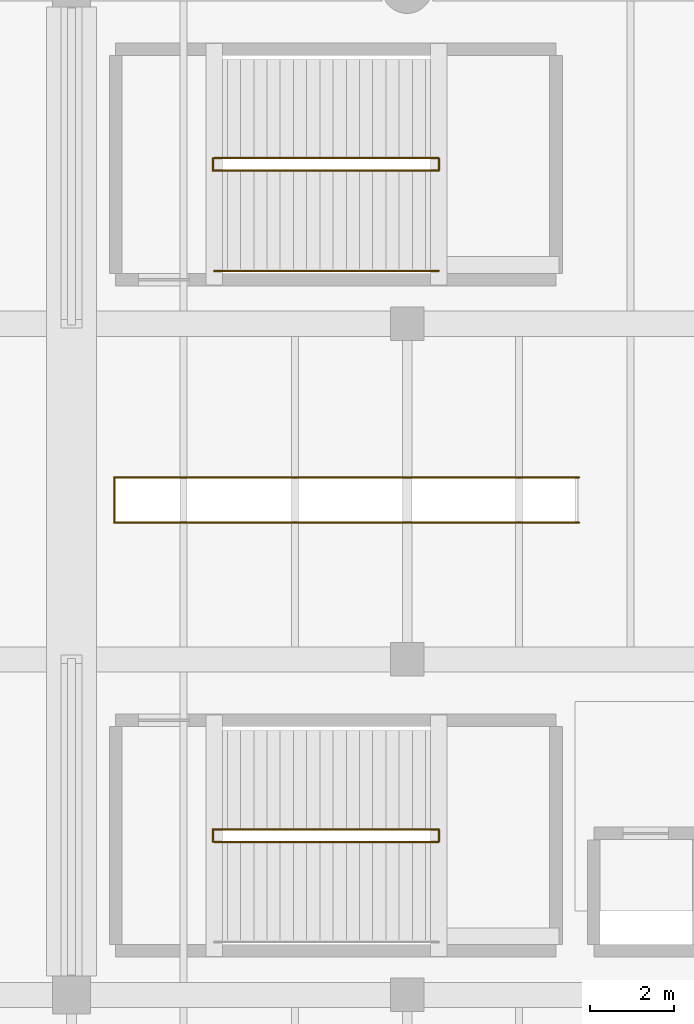
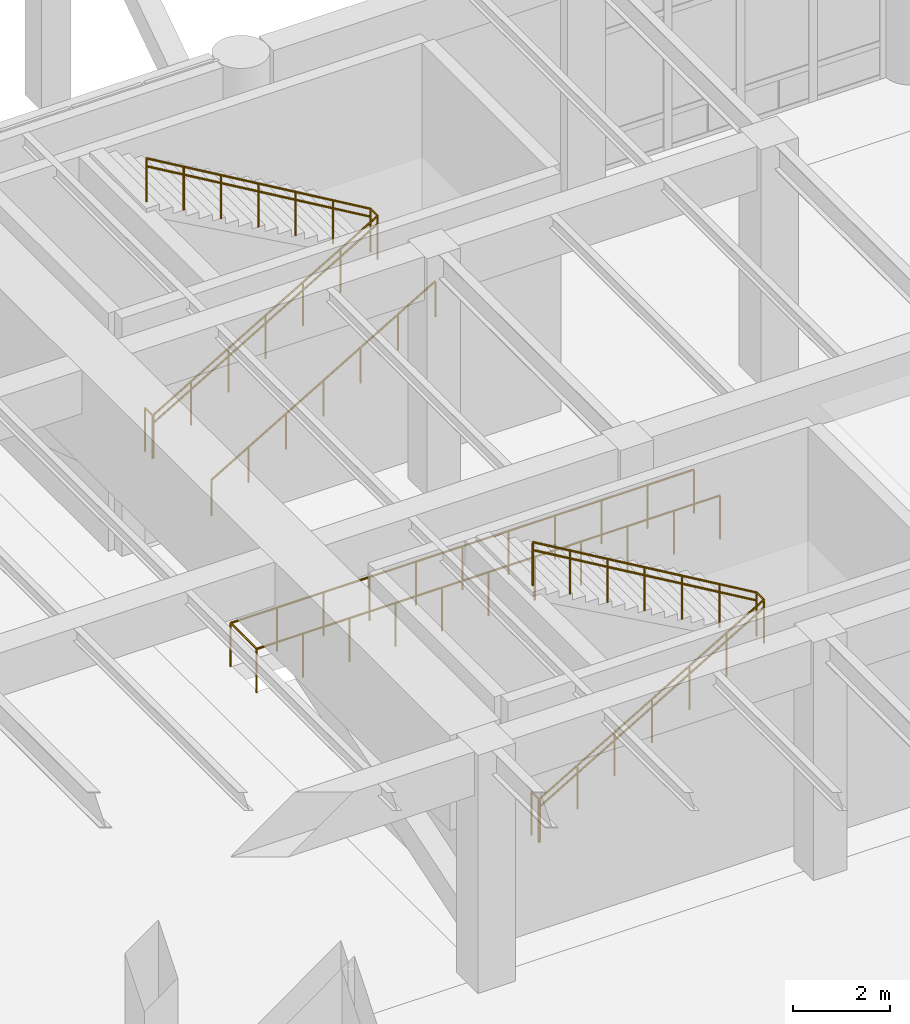
# One storey, part 45 of 51: 12 railings.
"""IFC4 building model written with IfcOpenShell, lengths in metres."""

from ifc_helpers import new_model, si_unit, direction, frame, origin, origin_2d, place, context, subcontext, project, spatial, circle, extrude, material, type_object, element, save


model = new_model("IFC4")

# Units and contexts
model_context = context("Model", 3, precision=1e-05, world=origin(), true_north=direction((0.0, 1.0)))
body_context = subcontext(model_context, "Body", "Model", "MODEL_VIEW")
ifc_project = project(units=[si_unit("LENGTHUNIT", "METRE"), si_unit("AREAUNIT", "SQUARE_METRE"), si_unit("VOLUMEUNIT", "CUBIC_METRE"), si_unit("PLANEANGLEUNIT", "RADIAN"), si_unit("MASSUNIT", "GRAM", prefix="KILO")], contexts=[model_context])

# Site, building, storey
site_placement = place(None, origin())
site = spatial("IfcSite", under=ifc_project, at=site_placement, CompositionType="ELEMENT")
building_placement = place(site_placement, origin())
building = spatial("IfcBuilding", under=site, at=building_placement, Name="Varnela Railside Interchange", CompositionType="ELEMENT")
storey_placement = place(building_placement, origin())
storey = spatial("IfcBuildingStorey", under=building, at=storey_placement, Name="L00", CompositionType="ELEMENT", Elevation=0.0)

# Railings
ifc_material_1 = material(Name="Glass laminated double", Category="glass")
railing_type_1 = type_object("IfcRailingType", Name="Concourse Atrium Balustrade BL-01", PredefinedType="BALUSTRADE", material=ifc_material_1)
railing_1_placement = place(storey_placement, frame((64.10009765625, 49.260009765625, 0.0)))
element("IfcRailing", 1, at=railing_1_placement, inside=storey, type_object=railing_type_1, Name="Escalator Well Balustrade ES4 (RL-0213)", PredefinedType="BALUSTRADE", context=body_context, shape_type="SweptSolid", body=[
    extrude(circle(Radius=0.02392578125, at=origin_2d()), frame((0.0, 0.0, 1.09619140625), z_axis=(-1.0, 0.0, 0.0), x_axis=(0.0, -1.0, 0.0)), (0.0, 0.0, 1.0), 11.080078125),
    extrude(circle(Radius=0.02392578125, at=origin_2d()), frame((-11.080078125, 0.0, 1.09619140625), z_axis=(0.0, 1.0, 0.0), x_axis=(-1.0, 0.0, 0.0)), (0.0, 0.0, 1.0), 1.080078125),
    extrude(circle(Radius=0.02392578125, at=origin_2d()), frame((-11.080078125, 1.080078125, 1.09619140625), z_axis=(1.0, 0.0, 0.0), x_axis=(0.0, 1.0, 0.0)), (0.0, 0.0, 1.0), 11.080078125),
    extrude(circle(Radius=0.02099609375, at=origin_2d()), origin(), (0.0, 0.0, 1.0), 1.072021484375),
    extrude(circle(Radius=0.02099609375, at=origin_2d()), frame((-1.10791015625, 0.0, 0.0)), (0.0, 0.0, 1.0), 1.072021484375),
    extrude(circle(Radius=0.02099609375, at=origin_2d()), frame((-2.216064453125, 0.0, 0.0)), (0.0, 0.0, 1.0), 1.072021484375),
    extrude(circle(Radius=0.02099609375, at=origin_2d()), frame((-3.323974609375, 0.0, 0.0)), (0.0, 0.0, 1.0), 1.072021484375),
    extrude(circle(Radius=0.02099609375, at=origin_2d()), frame((-4.43212890625, 0.0, 0.0)), (0.0, 0.0, 1.0), 1.072021484375),
    extrude(circle(Radius=0.02099609375, at=origin_2d()), frame((-5.5400390625, 0.0, 0.0)), (0.0, 0.0, 1.0), 1.072021484375),
    extrude(circle(Radius=0.02099609375, at=origin_2d()), frame((-6.64794921875, 0.0, 0.0)), (0.0, 0.0, 1.0), 1.072021484375),
    extrude(circle(Radius=0.02099609375, at=origin_2d()), frame((-7.756103515625, 0.0, 0.0)), (0.0, 0.0, 1.0), 1.072021484375),
    extrude(circle(Radius=0.02099609375, at=origin_2d()), frame((-8.864013671875, 0.0, 0.0)), (0.0, 0.0, 1.0), 1.072021484375),
    extrude(circle(Radius=0.02099609375, at=origin_2d()), frame((-9.97216796875, 0.0, 0.0)), (0.0, 0.0, 1.0), 1.072021484375),
    extrude(circle(Radius=0.02099609375, at=origin_2d()), frame((-11.080078125, 0.0, 0.0)), (0.0, 0.0, 1.0), 1.072021484375),
    extrude(circle(Radius=0.02099609375, at=origin_2d()), frame((-11.080078125, 1.080078125, 0.0)), (0.0, 0.0, 1.0), 1.072021484375),
    extrude(circle(Radius=0.02099609375, at=origin_2d()), frame((-9.97216796875, 1.080078125, 0.0)), (0.0, 0.0, 1.0), 1.072021484375),
    extrude(circle(Radius=0.02099609375, at=origin_2d()), frame((-8.864013671875, 1.080078125, 0.0)), (0.0, 0.0, 1.0), 1.072021484375),
    extrude(circle(Radius=0.02099609375, at=origin_2d()), frame((-7.756103515625, 1.080078125, 0.0)), (0.0, 0.0, 1.0), 1.072021484375),
    extrude(circle(Radius=0.02099609375, at=origin_2d()), frame((-6.64794921875, 1.080078125, 0.0)), (0.0, 0.0, 1.0), 1.072021484375),
    extrude(circle(Radius=0.02099609375, at=origin_2d()), frame((-5.5400390625, 1.080078125, 0.0)), (0.0, 0.0, 1.0), 1.072021484375),
    extrude(circle(Radius=0.02099609375, at=origin_2d()), frame((-4.43212890625, 1.080078125, 0.0)), (0.0, 0.0, 1.0), 1.072021484375),
    extrude(circle(Radius=0.02099609375, at=origin_2d()), frame((-3.323974609375, 1.080078125, 0.0)), (0.0, 0.0, 1.0), 1.072021484375),
    extrude(circle(Radius=0.02099609375, at=origin_2d()), frame((-2.216064453125, 1.080078125, 0.0)), (0.0, 0.0, 1.0), 1.072021484375),
    extrude(circle(Radius=0.02099609375, at=origin_2d()), frame((-1.10791015625, 1.080078125, 0.0)), (0.0, 0.0, 1.0), 1.072021484375),
    extrude(circle(Radius=0.02099609375, at=origin_2d()), frame((0.0, 1.080078125, 0.0)), (0.0, 0.0, 1.0), 1.072021484375),
])
ifc_material_2 = material(Name="Steel AR 350 (350 MPa)", Category="steel")
railing_type_2 = type_object("IfcRailingType", Name="Stair & Ramp Pitch Handrail HR-01", PredefinedType="HANDRAIL", material=ifc_material_2)
railing_2_placement = place(storey_placement, frame((55.39990234375, 41.64990234375, 0.0)))
element("IfcRailing", 2, at=railing_2_placement, inside=storey, type_object=railing_type_2, Name="Stair Handrail ST-C1 Flight 1 (RL-0216)", PredefinedType="HANDRAIL", context=body_context, shape_type="SweptSolid", body=[
    extrude(circle(Radius=0.02392578125, at=origin_2d()), frame((0.0, 0.0, 0.89599609375), z_axis=(0.861940276329, 0.0, 0.507009822431), x_axis=(0.0, 1.0, 0.0)), (0.0, 0.0, 1.0), 6.212646484375),
    extrude(circle(Radius=0.02099609375, at=origin_2d()), origin(), (0.0, 0.0, 1.0), 0.871826171875),
    extrude(circle(Radius=0.02099609375, at=origin_2d()), frame((0.892578125, 0.0, 0.52490234375)), (0.0, 0.0, 1.0), 0.871826171875),
    extrude(circle(Radius=0.02099609375, at=origin_2d()), frame((1.784912109375, 0.0, 1.050048828125)), (0.0, 0.0, 1.0), 0.871826171875),
    extrude(circle(Radius=0.02099609375, at=origin_2d()), frame((2.677490234375, 0.0, 1.574951171875)), (0.0, 0.0, 1.0), 0.871826171875),
    extrude(circle(Radius=0.02099609375, at=origin_2d()), frame((3.570068359375, 0.0, 2.099853515625)), (0.0, 0.0, 1.0), 0.871826171875),
    extrude(circle(Radius=0.02099609375, at=origin_2d()), frame((4.46240234375, 0.0, 2.625)), (0.0, 0.0, 1.0), 0.871826171875),
    extrude(circle(Radius=0.02099609375, at=origin_2d()), frame((5.35498046875, 0.0, 3.14990234375)), (0.0, 0.0, 1.0), 0.871826171875),
])
railing_3_placement = place(storey_placement, frame((60.7548828125, 41.949951171875, 3.14990234375)))
element("IfcRailing", 3, at=railing_3_placement, inside=storey, type_object=railing_type_2, Name="Stair Handrail ST-C1 Flight 2 (RL-0217)", PredefinedType="HANDRAIL", context=body_context, shape_type="SweptSolid", body=[
    extrude(circle(Radius=0.02392578125, at=origin_2d()), frame((0.0, 0.0, 0.89599609375), z_axis=(-0.861923102912, 0.0, 0.507039016908), x_axis=(0.0, -1.0, 0.0)), (0.0, 0.0, 1.0), 6.212890625),
    extrude(circle(Radius=0.02099609375, at=origin_2d()), origin(), (0.0, 0.0, 1.0), 0.871826171875),
    extrude(circle(Radius=0.02099609375, at=origin_2d()), frame((-0.892578125, 0.0, 0.52490234375)), (0.0, 0.0, 1.0), 0.871826171875),
    extrude(circle(Radius=0.02099609375, at=origin_2d()), frame((-1.784912109375, 0.0, 1.050048828125)), (0.0, 0.0, 1.0), 0.871826171875),
    extrude(circle(Radius=0.02099609375, at=origin_2d()), frame((-2.677490234375, 0.0, 1.5751953125)), (0.0, 0.0, 1.0), 0.871826171875),
    extrude(circle(Radius=0.02099609375, at=origin_2d()), frame((-3.570068359375, 0.0, 2.10009765625)), (0.0, 0.0, 1.0), 0.871826171875),
    extrude(circle(Radius=0.02099609375, at=origin_2d()), frame((-4.46240234375, 0.0, 2.625)), (0.0, 0.0, 1.0), 0.871826171875),
    extrude(circle(Radius=0.02099609375, at=origin_2d()), frame((-5.35498046875, 0.0, 3.150146484375)), (0.0, 0.0, 1.0), 0.871826171875),
])
railing_4_placement = place(storey_placement, frame((55.39990234375, 57.64990234375, 0.0)))
element("IfcRailing", 4, at=railing_4_placement, inside=storey, type_object=railing_type_2, Name="Stair Handrail ST-C3 Flight 1 (RL-0220)", PredefinedType="HANDRAIL", context=body_context, shape_type="SweptSolid", body=[
    extrude(circle(Radius=0.02392578125, at=origin_2d()), frame((0.0, 0.0, 0.89599609375), z_axis=(0.861940276329, 0.0, 0.507009822431), x_axis=(0.0, 1.0, 0.0)), (0.0, 0.0, 1.0), 6.212646484375),
    extrude(circle(Radius=0.02099609375, at=origin_2d()), origin(), (0.0, 0.0, 1.0), 0.871826171875),
    extrude(circle(Radius=0.02099609375, at=origin_2d()), frame((0.892578125, 0.0, 0.52490234375)), (0.0, 0.0, 1.0), 0.871826171875),
    extrude(circle(Radius=0.02099609375, at=origin_2d()), frame((1.784912109375, 0.0, 1.050048828125)), (0.0, 0.0, 1.0), 0.871826171875),
    extrude(circle(Radius=0.02099609375, at=origin_2d()), frame((2.677490234375, 0.0, 1.574951171875)), (0.0, 0.0, 1.0), 0.871826171875),
    extrude(circle(Radius=0.02099609375, at=origin_2d()), frame((3.570068359375, 0.0, 2.099853515625)), (0.0, 0.0, 1.0), 0.871826171875),
    extrude(circle(Radius=0.02099609375, at=origin_2d()), frame((4.46240234375, 0.0, 2.625)), (0.0, 0.0, 1.0), 0.871826171875),
    extrude(circle(Radius=0.02099609375, at=origin_2d()), frame((5.35498046875, 0.0, 3.14990234375)), (0.0, 0.0, 1.0), 0.871826171875),
])
railing_5_placement = place(storey_placement, frame((60.7548828125, 57.949951171875, 3.14990234375)))
element("IfcRailing", 5, at=railing_5_placement, inside=storey, type_object=railing_type_2, Name="Stair Handrail ST-C3 Flight 2 (RL-0221)", PredefinedType="HANDRAIL", context=body_context, shape_type="SweptSolid", body=[
    extrude(circle(Radius=0.02392578125, at=origin_2d()), frame((0.0, 0.0, 0.89599609375), z_axis=(-0.861923102912, 0.0, 0.507039016908), x_axis=(0.0, -1.0, 0.0)), (0.0, 0.0, 1.0), 6.212890625),
    extrude(circle(Radius=0.02099609375, at=origin_2d()), origin(), (0.0, 0.0, 1.0), 0.871826171875),
    extrude(circle(Radius=0.02099609375, at=origin_2d()), frame((-0.892578125, 0.0, 0.52490234375)), (0.0, 0.0, 1.0), 0.871826171875),
    extrude(circle(Radius=0.02099609375, at=origin_2d()), frame((-1.784912109375, 0.0, 1.050048828125)), (0.0, 0.0, 1.0), 0.871826171875),
    extrude(circle(Radius=0.02099609375, at=origin_2d()), frame((-2.677490234375, 0.0, 1.5751953125)), (0.0, 0.0, 1.0), 0.871826171875),
    extrude(circle(Radius=0.02099609375, at=origin_2d()), frame((-3.570068359375, 0.0, 2.10009765625)), (0.0, 0.0, 1.0), 0.871826171875),
    extrude(circle(Radius=0.02099609375, at=origin_2d()), frame((-4.46240234375, 0.0, 2.625)), (0.0, 0.0, 1.0), 0.871826171875),
    extrude(circle(Radius=0.02099609375, at=origin_2d()), frame((-5.35498046875, 0.0, 3.150146484375)), (0.0, 0.0, 1.0), 0.871826171875),
])
railing_type_3 = type_object("IfcRailingType", Name="Stair Well & Landing Guard GR-02", PredefinedType="GUARDRAIL", material=ifc_material_2)
railing_6_placement = place(storey_placement, frame((55.3701171875, 41.64990234375, 0.0)))
element("IfcRailing", 6, at=railing_6_placement, inside=storey, type_object=railing_type_3, Name="Stair Well Slot Guard ST-C1 on L00 (RL-0175)", PredefinedType="GUARDRAIL", context=body_context, shape_type="SweptSolid", body=[
    extrude(circle(Radius=0.02392578125, at=origin_2d()), frame((0.0, 0.0, 1.09619140625), z_axis=(0.0, 1.0, 0.0), x_axis=(-1.0, 0.0, 0.0)), (0.0, 0.0, 1.0), 0.300048828125),
    extrude(circle(Radius=0.02099609375, at=origin_2d()), origin(), (0.0, 0.0, 1.0), 1.072021484375),
    extrude(circle(Radius=0.02099609375, at=origin_2d()), frame((0.0, 0.300048828125, 0.0)), (0.0, 0.0, 1.0), 1.072021484375),
])
railing_7_placement = place(storey_placement, frame((55.39990234375, 41.64990234375, 0.0)))
element("IfcRailing", 7, at=railing_7_placement, inside=storey, type_object=railing_type_3, Name="Stair Guard ST-C1 Half-Landing (RL-0173)", PredefinedType="GUARDRAIL", context=body_context, shape_type="SweptSolid", body=[
    extrude(circle(Radius=0.02392578125, at=origin_2d()), frame((0.0, 0.0, 1.09619140625), z_axis=(0.861940276329, 0.0, 0.507009822431), x_axis=(0.0, 1.0, 0.0)), (0.0, 0.0, 1.0), 6.212646484375),
    extrude(circle(Radius=0.02392578125, at=origin_2d()), frame((5.35498046875, 0.0, 4.24609375), z_axis=(0.0, 1.0, 0.0), x_axis=(-1.0, 0.0, 0.0)), (0.0, 0.0, 1.0), 0.300048828125),
    extrude(circle(Radius=0.02099609375, at=origin_2d()), origin(), (0.0, 0.0, 1.0), 1.072021484375),
    extrude(circle(Radius=0.02099609375, at=origin_2d()), frame((0.892578125, 0.0, 0.52490234375)), (0.0, 0.0, 1.0), 1.072021484375),
    extrude(circle(Radius=0.02099609375, at=origin_2d()), frame((1.784912109375, 0.0, 1.050048828125)), (0.0, 0.0, 1.0), 1.072021484375),
    extrude(circle(Radius=0.02099609375, at=origin_2d()), frame((2.677490234375, 0.0, 1.574951171875)), (0.0, 0.0, 1.0), 1.072021484375),
    extrude(circle(Radius=0.02099609375, at=origin_2d()), frame((3.570068359375, 0.0, 2.099853515625)), (0.0, 0.0, 1.0), 1.072021484375),
    extrude(circle(Radius=0.02099609375, at=origin_2d()), frame((4.46240234375, 0.0, 2.625)), (0.0, 0.0, 1.0), 1.072021484375),
    extrude(circle(Radius=0.02099609375, at=origin_2d()), frame((5.35498046875, 0.0, 3.14990234375)), (0.0, 0.0, 1.0), 1.072021484375),
    extrude(circle(Radius=0.02099609375, at=origin_2d()), frame((5.35498046875, 0.300048828125, 3.14990234375)), (0.0, 0.0, 1.0), 1.072021484375),
])
railing_8_placement = place(storey_placement, frame((60.7548828125, 41.949951171875, 3.14990234375)))
element("IfcRailing", 8, at=railing_8_placement, inside=storey, type_object=railing_type_3, Name="Stair Guard ST-C1 Upper Flight (RL-0174)", PredefinedType="GUARDRAIL", context=body_context, shape_type="SweptSolid", body=[
    extrude(circle(Radius=0.02392578125, at=origin_2d()), frame((0.0, 0.0, 1.09619140625), z_axis=(-0.861923102912, 0.0, 0.507039016908), x_axis=(0.0, -1.0, 0.0)), (0.0, 0.0, 1.0), 6.212890625),
    extrude(circle(Radius=0.02099609375, at=origin_2d()), origin(), (0.0, 0.0, 1.0), 1.072021484375),
    extrude(circle(Radius=0.02099609375, at=origin_2d()), frame((-0.892578125, 0.0, 0.52490234375)), (0.0, 0.0, 1.0), 1.072021484375),
    extrude(circle(Radius=0.02099609375, at=origin_2d()), frame((-1.784912109375, 0.0, 1.050048828125)), (0.0, 0.0, 1.0), 1.072021484375),
    extrude(circle(Radius=0.02099609375, at=origin_2d()), frame((-2.677490234375, 0.0, 1.5751953125)), (0.0, 0.0, 1.0), 1.072021484375),
    extrude(circle(Radius=0.02099609375, at=origin_2d()), frame((-3.570068359375, 0.0, 2.10009765625)), (0.0, 0.0, 1.0), 1.072021484375),
    extrude(circle(Radius=0.02099609375, at=origin_2d()), frame((-4.46240234375, 0.0, 2.625)), (0.0, 0.0, 1.0), 1.072021484375),
    extrude(circle(Radius=0.02099609375, at=origin_2d()), frame((-5.35498046875, 0.0, 3.150146484375)), (0.0, 0.0, 1.0), 1.072021484375),
])
railing_9_placement = place(storey_placement, frame((55.3701171875, 57.64990234375, 0.0)))
element("IfcRailing", 9, at=railing_9_placement, inside=storey, type_object=railing_type_3, Name="Stair Well Slot Guard ST-C3 on L00 (RL-0181)", PredefinedType="GUARDRAIL", context=body_context, shape_type="SweptSolid", body=[
    extrude(circle(Radius=0.02392578125, at=origin_2d()), frame((0.0, 0.0, 1.09619140625), z_axis=(0.0, 1.0, 0.0), x_axis=(-1.0, 0.0, 0.0)), (0.0, 0.0, 1.0), 0.300048828125),
    extrude(circle(Radius=0.02099609375, at=origin_2d()), origin(), (0.0, 0.0, 1.0), 1.072021484375),
    extrude(circle(Radius=0.02099609375, at=origin_2d()), frame((0.0, 0.300048828125, 0.0)), (0.0, 0.0, 1.0), 1.072021484375),
])
railing_10_placement = place(storey_placement, frame((55.39990234375, 57.64990234375, 0.0)))
element("IfcRailing", 10, at=railing_10_placement, inside=storey, type_object=railing_type_3, Name="Stair Guard ST-C3 Half-Landing (RL-0179)", PredefinedType="GUARDRAIL", context=body_context, shape_type="SweptSolid", body=[
    extrude(circle(Radius=0.02392578125, at=origin_2d()), frame((0.0, 0.0, 1.09619140625), z_axis=(0.861940276329, 0.0, 0.507009822431), x_axis=(0.0, 1.0, 0.0)), (0.0, 0.0, 1.0), 6.212646484375),
    extrude(circle(Radius=0.02392578125, at=origin_2d()), frame((5.35498046875, 0.0, 4.24609375), z_axis=(0.0, 1.0, 0.0), x_axis=(-1.0, 0.0, 0.0)), (0.0, 0.0, 1.0), 0.300048828125),
    extrude(circle(Radius=0.02099609375, at=origin_2d()), origin(), (0.0, 0.0, 1.0), 1.072021484375),
    extrude(circle(Radius=0.02099609375, at=origin_2d()), frame((0.892578125, 0.0, 0.52490234375)), (0.0, 0.0, 1.0), 1.072021484375),
    extrude(circle(Radius=0.02099609375, at=origin_2d()), frame((1.784912109375, 0.0, 1.050048828125)), (0.0, 0.0, 1.0), 1.072021484375),
    extrude(circle(Radius=0.02099609375, at=origin_2d()), frame((2.677490234375, 0.0, 1.574951171875)), (0.0, 0.0, 1.0), 1.072021484375),
    extrude(circle(Radius=0.02099609375, at=origin_2d()), frame((3.570068359375, 0.0, 2.099853515625)), (0.0, 0.0, 1.0), 1.072021484375),
    extrude(circle(Radius=0.02099609375, at=origin_2d()), frame((4.46240234375, 0.0, 2.625)), (0.0, 0.0, 1.0), 1.072021484375),
    extrude(circle(Radius=0.02099609375, at=origin_2d()), frame((5.35498046875, 0.0, 3.14990234375)), (0.0, 0.0, 1.0), 1.072021484375),
    extrude(circle(Radius=0.02099609375, at=origin_2d()), frame((5.35498046875, 0.300048828125, 3.14990234375)), (0.0, 0.0, 1.0), 1.072021484375),
])
railing_11_placement = place(storey_placement, frame((60.7548828125, 57.949951171875, 3.14990234375)))
element("IfcRailing", 11, at=railing_11_placement, inside=storey, type_object=railing_type_3, Name="Stair Guard ST-C3 Upper Flight (RL-0180)", PredefinedType="GUARDRAIL", context=body_context, shape_type="SweptSolid", body=[
    extrude(circle(Radius=0.02392578125, at=origin_2d()), frame((0.0, 0.0, 1.09619140625), z_axis=(-0.861923102912, 0.0, 0.507039016908), x_axis=(0.0, -1.0, 0.0)), (0.0, 0.0, 1.0), 6.212890625),
    extrude(circle(Radius=0.02099609375, at=origin_2d()), origin(), (0.0, 0.0, 1.0), 1.072021484375),
    extrude(circle(Radius=0.02099609375, at=origin_2d()), frame((-0.892578125, 0.0, 0.52490234375)), (0.0, 0.0, 1.0), 1.072021484375),
    extrude(circle(Radius=0.02099609375, at=origin_2d()), frame((-1.784912109375, 0.0, 1.050048828125)), (0.0, 0.0, 1.0), 1.072021484375),
    extrude(circle(Radius=0.02099609375, at=origin_2d()), frame((-2.677490234375, 0.0, 1.5751953125)), (0.0, 0.0, 1.0), 1.072021484375),
    extrude(circle(Radius=0.02099609375, at=origin_2d()), frame((-3.570068359375, 0.0, 2.10009765625)), (0.0, 0.0, 1.0), 1.072021484375),
    extrude(circle(Radius=0.02099609375, at=origin_2d()), frame((-4.46240234375, 0.0, 2.625)), (0.0, 0.0, 1.0), 1.072021484375),
    extrude(circle(Radius=0.02099609375, at=origin_2d()), frame((-5.35498046875, 0.0, 3.150146484375)), (0.0, 0.0, 1.0), 1.072021484375),
])
railing_type_4 = type_object("IfcRailingType", Name="Wall-Mounted Stair Handrail HR-02", PredefinedType="HANDRAIL", material=ifc_material_2)
railing_12_placement = place(storey_placement, frame((55.39990234375, 55.260009765625, 0.0)))
element("IfcRailing", 12, at=railing_12_placement, inside=storey, type_object=railing_type_4, Name="Wall Handrail ST-C3 Flight 1 (RL-0248)", PredefinedType="HANDRAIL", context=body_context, shape_type="SweptSolid", body=[
    extrude(circle(Radius=0.02392578125, at=origin_2d()), frame((0.0, 0.0, 0.89599609375), z_axis=(0.861940276329, 0.0, 0.507009822431), x_axis=(0.0, 1.0, 0.0)), (0.0, 0.0, 1.0), 6.212646484375),
    extrude(circle(Radius=0.02099609375, at=origin_2d()), origin(), (0.0, 0.0, 1.0), 0.871826171875),
    extrude(circle(Radius=0.02099609375, at=origin_2d()), frame((0.892578125, 0.0, 0.52490234375)), (0.0, 0.0, 1.0), 0.871826171875),
    extrude(circle(Radius=0.02099609375, at=origin_2d()), frame((1.784912109375, 0.0, 1.050048828125)), (0.0, 0.0, 1.0), 0.871826171875),
    extrude(circle(Radius=0.02099609375, at=origin_2d()), frame((2.677490234375, 0.0, 1.574951171875)), (0.0, 0.0, 1.0), 0.871826171875),
    extrude(circle(Radius=0.02099609375, at=origin_2d()), frame((3.570068359375, 0.0, 2.099853515625)), (0.0, 0.0, 1.0), 0.871826171875),
    extrude(circle(Radius=0.02099609375, at=origin_2d()), frame((4.46240234375, 0.0, 2.625)), (0.0, 0.0, 1.0), 0.871826171875),
    extrude(circle(Radius=0.02099609375, at=origin_2d()), frame((5.35498046875, 0.0, 3.14990234375)), (0.0, 0.0, 1.0), 0.871826171875),
])

save(model, "model.ifc")
